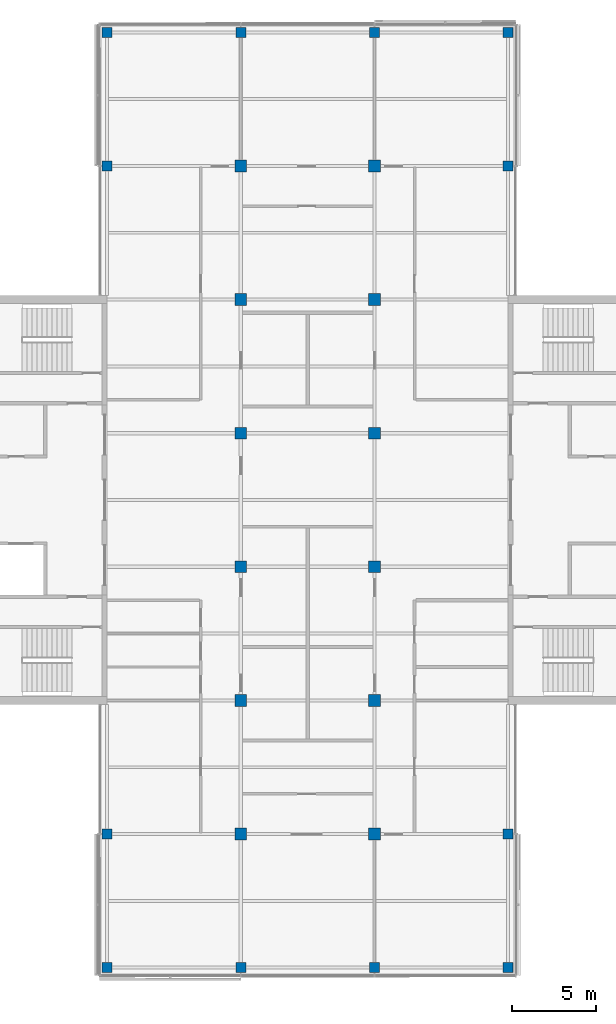
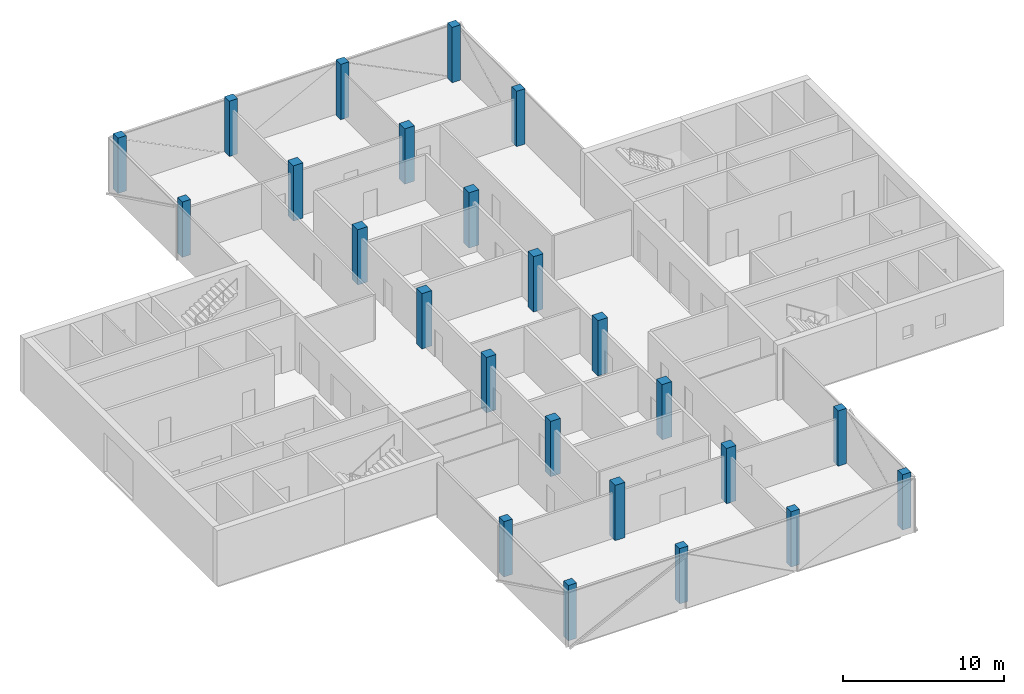
# One storey, part 1 of 16: 24 columns.
"""IFC4 building model written with IfcOpenShell, lengths in metres."""

from ifc_helpers import new_model, si_unit, direction, frame, origin, origin_2d, place, context, subcontext, project, spatial, rectangle, extrude, material, material_profile, profile_set, type_object, element, save


model = new_model("IFC4")

# Units and contexts
model_context = context("Model", 3, precision=1e-05, world=origin(), true_north=direction((0.0, 1.0)))
body_context = subcontext(model_context, "Body", "Model", "MODEL_VIEW")
ifc_project = project(units=[si_unit("LENGTHUNIT", "METRE"), si_unit("AREAUNIT", "SQUARE_METRE"), si_unit("VOLUMEUNIT", "CUBIC_METRE"), si_unit("PLANEANGLEUNIT", "RADIAN"), si_unit("MASSUNIT", "GRAM", prefix="KILO")], contexts=[model_context])

# Site, building, storey
site_placement = place(None, origin())
site = spatial("IfcSite", under=ifc_project, at=site_placement, CompositionType="ELEMENT")
building_placement = place(site_placement, origin())
building = spatial("IfcBuilding", under=site, at=building_placement, Name="Crosswind Convention Tower", CompositionType="ELEMENT")
storey_placement = place(building_placement, frame((0.0, 0.0, 287.10009765625)))
storey = spatial("IfcBuildingStorey", under=building, at=storey_placement, Name="L62", CompositionType="ELEMENT", Elevation=287.10009765625)

# Columns
ifc_material = material(Name="Concrete C60/75", Category="concrete")
ifc_material_profile_1 = material_profile(ifc_material, rectangle(XDim=0.60009765625, YDim=0.60009765625, at=origin_2d()), Name="RC 600X600")
ifc_profile_set_1 = profile_set([ifc_material_profile_1], Name="Concrete C60/75")
column_type_1 = type_object("IfcColumnType", Name="Column RC 600X600", PredefinedType="COLUMN", material=ifc_profile_set_1)
for number, where, z_axis, x_axis, name in (
    (1, (113.0, 72.0, 0.0), (0.0, 0.0, 1.0), (1.0, 0.0, 0.0), "C16 L62 5/C"),
    (2, (113.0, 80.0, 0.0), (0.0, 0.0, 1.0), (1.0, 0.0, 0.0), "C16 L62 5/D"),
    (3, (113.0, 120.0, 0.0), (0.0, 0.0, 1.0), (1.0, 0.0, 0.0), "C16 L62 5/I"),
    (4, (113.0, 128.0, 0.0), (0.0, 0.0, 1.0), (1.0, 0.0, 0.0), "C16 L62 5/J"),
    (5, (121.0, 72.0, 0.0), (0.0, 0.0, 1.0), (1.0, 0.0, 0.0), "C16 L62 6/C"),
    (6, (121.0, 128.0, 0.0), (0.0, 0.0, 1.0), (1.0, 0.0, 0.0), "C16 L62 6/J"),
    (7, (129.0, 72.0, 0.0), (0.0, 0.0, 1.0), (1.0, 0.0, 0.0), "C16 L62 7/C"),
    (8, (129.0, 128.0, 0.0), (0.0, 0.0, 1.0), (1.0, 0.0, 0.0), "C16 L62 7/J"),
    (9, (137.0, 72.0, 0.0), (0.0, 0.0, 1.0), (1.0, 0.0, 0.0), "C16 L62 8/C"),
    (10, (137.0, 80.0, 0.0), (0.0, 0.0, 1.0), (1.0, 0.0, 0.0), "C16 L62 8/D"),
    (11, (137.0, 120.0, 0.0), (0.0, 0.0, 1.0), (1.0, 0.0, 0.0), "C16 L62 8/I"),
    (12, (137.0, 128.0, 0.0), (0.0, 0.0, 1.0), (1.0, 0.0, 0.0), "C16 L62 8/J"),
):
    element("IfcColumn", number, at=place(storey_placement, frame(where, z_axis=z_axis, x_axis=x_axis)), inside=storey, type_object=column_type_1, Name=name, PredefinedType="COLUMN", context=body_context, shape_type="SweptSolid", body=[
        extrude(rectangle(XDim=0.60009765625, YDim=0.60009765625, at=origin_2d()), origin(), (0.0, 0.0, 1.0), 4.199951171875),
    ])
ifc_material_profile_2 = material_profile(ifc_material, rectangle(XDim=0.699951171875, YDim=0.699951171875, at=origin_2d()), Name="RC 700X700")
ifc_profile_set_2 = profile_set([ifc_material_profile_2], Name="Concrete C60/75")
column_type_2 = type_object("IfcColumnType", Name="Column RC 700X700", PredefinedType="COLUMN", material=ifc_profile_set_2)
for number, where, z_axis, x_axis, name in (
    (13, (121.0, 80.0, 0.0), (0.0, 0.0, 1.0), (1.0, 0.0, 0.0), "C15 L62 6/D"),
    (14, (121.0, 88.0, 0.0), (0.0, 0.0, 1.0), (1.0, 0.0, 0.0), "C15 L62 6/E"),
    (15, (121.0, 96.0, 0.0), (0.0, 0.0, 1.0), (1.0, 0.0, 0.0), "C15 L62 6/F"),
    (16, (121.0, 104.0, 0.0), (0.0, 0.0, 1.0), (1.0, 0.0, 0.0), "C15 L62 6/G"),
    (17, (121.0, 112.0, 0.0), (0.0, 0.0, 1.0), (1.0, 0.0, 0.0), "C15 L62 6/H"),
    (18, (121.0, 120.0, 0.0), (0.0, 0.0, 1.0), (1.0, 0.0, 0.0), "C15 L62 6/I"),
    (19, (129.0, 80.0, 0.0), (0.0, 0.0, 1.0), (1.0, 0.0, 0.0), "C15 L62 7/D"),
    (20, (129.0, 88.0, 0.0), (0.0, 0.0, 1.0), (1.0, 0.0, 0.0), "C15 L62 7/E"),
    (21, (129.0, 96.0, 0.0), (0.0, 0.0, 1.0), (1.0, 0.0, 0.0), "C15 L62 7/F"),
    (22, (129.0, 104.0, 0.0), (0.0, 0.0, 1.0), (1.0, 0.0, 0.0), "C15 L62 7/G"),
    (23, (129.0, 112.0, 0.0), (0.0, 0.0, 1.0), (1.0, 0.0, 0.0), "C15 L62 7/H"),
    (24, (129.0, 120.0, 0.0), (0.0, 0.0, 1.0), (1.0, 0.0, 0.0), "C15 L62 7/I"),
):
    element("IfcColumn", number, at=place(storey_placement, frame(where, z_axis=z_axis, x_axis=x_axis)), inside=storey, type_object=column_type_2, Name=name, PredefinedType="COLUMN", context=body_context, shape_type="SweptSolid", body=[
        extrude(rectangle(XDim=0.699951171875, YDim=0.699951171875, at=origin_2d()), origin(), (0.0, 0.0, 1.0), 4.199951171875),
    ])

save(model, "model.ifc")
